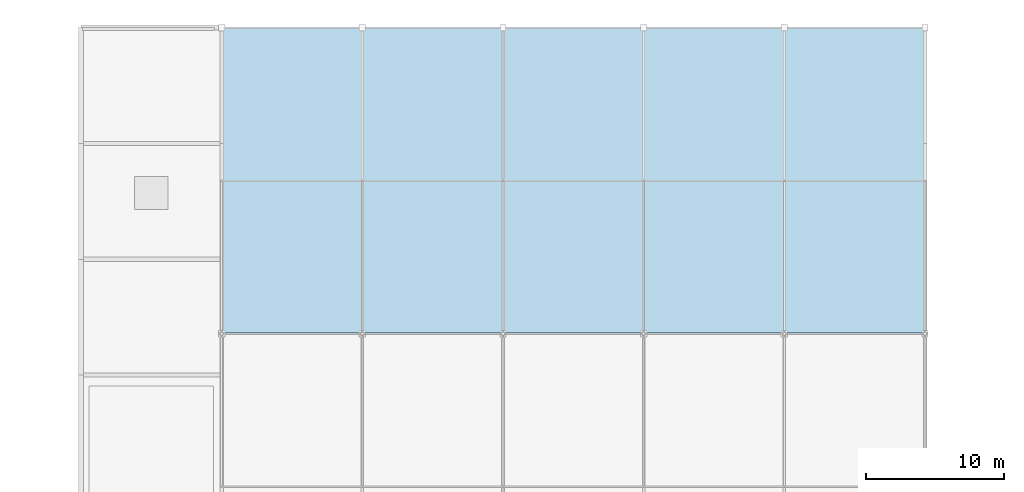
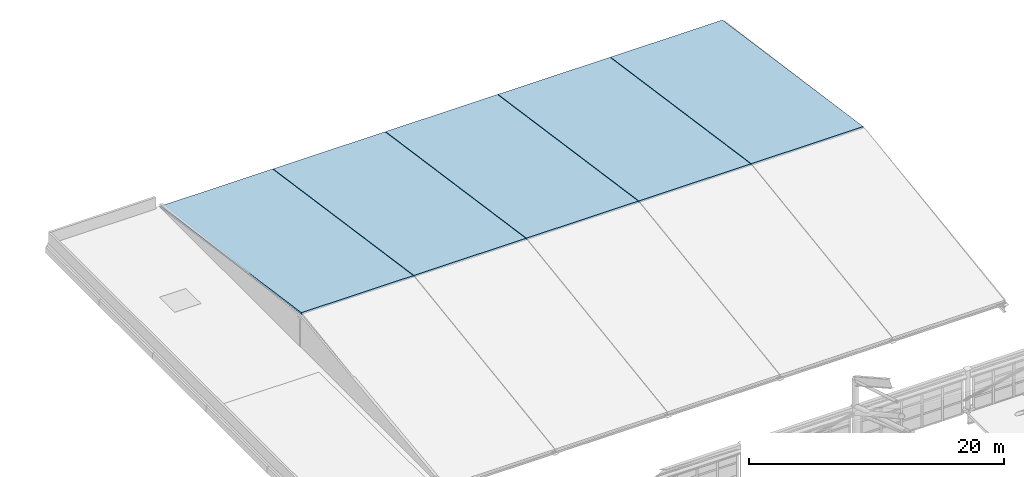
# One storey, part 116 of 135: 5 slabs.
"""IFC4 building model written with IfcOpenShell, lengths in metres."""

from ifc_helpers import new_model, si_unit, direction, frame, origin, place, context, subcontext, project, spatial, polyline, outline, extrude, material, layer, layer_set, type_object, element, save


model = new_model("IFC4")

# Units and contexts
model_context = context("Model", 3, precision=1e-05, world=origin(), true_north=direction((0.0, 1.0)))
body_context = subcontext(model_context, "Body", "Model", "MODEL_VIEW")
ifc_project = project(units=[si_unit("LENGTHUNIT", "METRE"), si_unit("AREAUNIT", "SQUARE_METRE"), si_unit("VOLUMEUNIT", "CUBIC_METRE"), si_unit("PLANEANGLEUNIT", "RADIAN"), si_unit("MASSUNIT", "GRAM", prefix="KILO")], contexts=[model_context])

# Site, building, storey
site_placement = place(None, origin())
site = spatial("IfcSite", under=ifc_project, at=site_placement, CompositionType="ELEMENT")
building_placement = place(site_placement, origin())
building = spatial("IfcBuilding", under=site, at=building_placement, Name="Brelvane Convention Centre", CompositionType="ELEMENT")
storey_placement = place(building_placement, frame((0.0, 0.0, 15.0)))
storey = spatial("IfcBuildingStorey", under=building, at=storey_placement, Name="L03", CompositionType="ELEMENT", Elevation=15.0)

# Slabs
ifc_material = material(Name="Steel E350 (350 MPa)", Category="steel")
ifc_layer = layer(ifc_material, 0.179931640625)
ifc_layer_set = layer_set([ifc_layer], Name="Steel E350 (350 MPa)")
slab_type = type_object("IfcSlabType", Name="Structural Slab SL-ROOF-SF-180", PredefinedType="ROOF", material=ifc_layer_set)
slab_placement = place(storey_placement, frame((173.419921875, 121.840087890625, 3.194091796875), z_axis=(0.0, 0.142916890043, 0.989734693006), x_axis=(1.0, 0.0, 0.0)))
element("IfcSlab", 1, at=slab_placement, inside=storey, type_object=slab_type, Name="Ballroom Pitched Roof Panel 1-N", PredefinedType="ROOF", context=body_context, shape_type="SweptSolid", body=[
    extrude(outline(polyline([(0.0, 0.0), (10.16015625, 0.0), (10.16015625, 22.349295425510206), (0.0, 22.349295425510206), (0.0, 0.0)])), origin(), (0.0, 0.0, -1.0), 0.179931640625),
])
for number, where, z_axis, x_axis, name in (
    (2, (183.6201171875, 121.840087890625, 3.194091796875), (0.0, 0.142916890043, 0.989734693006), (1.0, 0.0, 0.0), "Ballroom Pitched Roof Panel 2-N"),
    (3, (193.820068359375, 121.840087890625, 3.194091796875), (0.0, 0.142916890043, 0.989734693006), (1.0, 0.0, 0.0), "Ballroom Pitched Roof Panel 3-N"),
    (4, (204.02001953125, 121.840087890625, 3.194091796875), (0.0, 0.142916890043, 0.989734693006), (1.0, 0.0, 0.0), "Ballroom Pitched Roof Panel 4-N"),
    (5, (214.219970703125, 121.840087890625, 3.194091796875), (0.0, 0.142916890043, 0.989734693006), (1.0, 0.0, 0.0), "Ballroom Pitched Roof Panel 5-N"),
):
    element("IfcSlab", number, at=place(storey_placement, frame(where, z_axis=z_axis, x_axis=x_axis)), inside=storey, type_object=slab_type, Name=name, PredefinedType="ROOF", context=body_context, shape_type="SweptSolid", body=[
        extrude(outline(polyline([(0.0, 0.0), (10.159912109375, 0.0), (10.159912109375, 22.349295425510206), (0.0, 22.349295425510206), (0.0, 0.0)])), origin(), (0.0, 0.0, -1.0), 0.179931640625),
    ])

save(model, "model.ifc")
